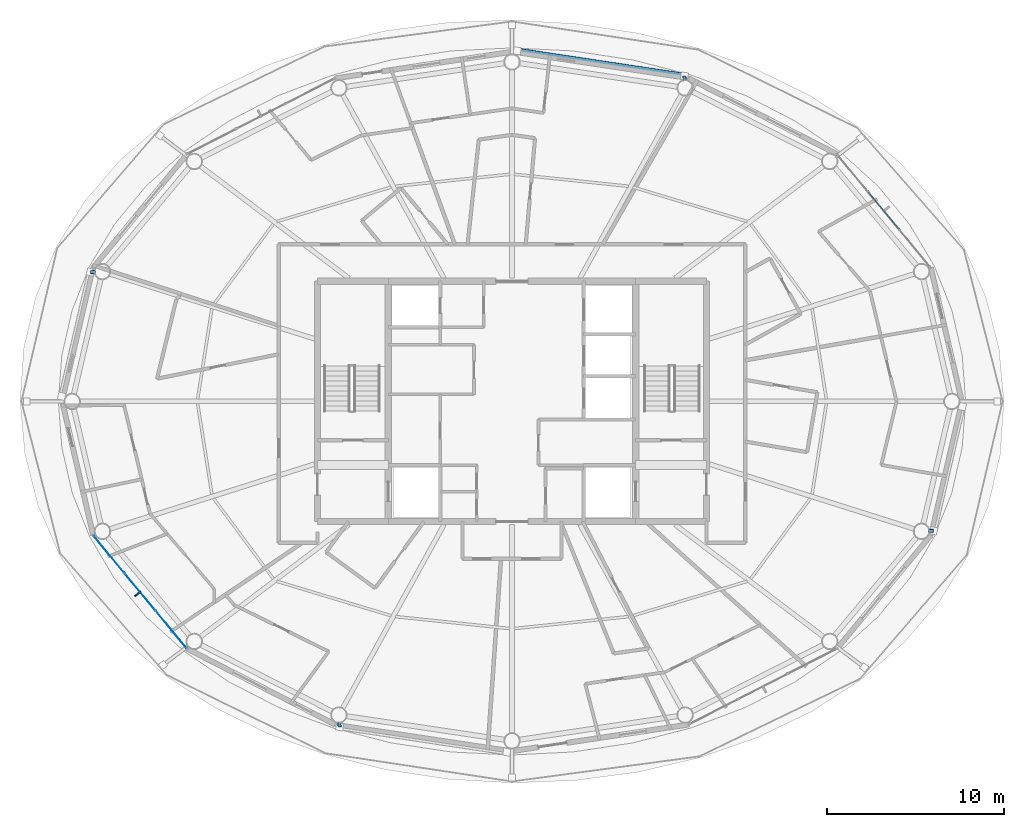
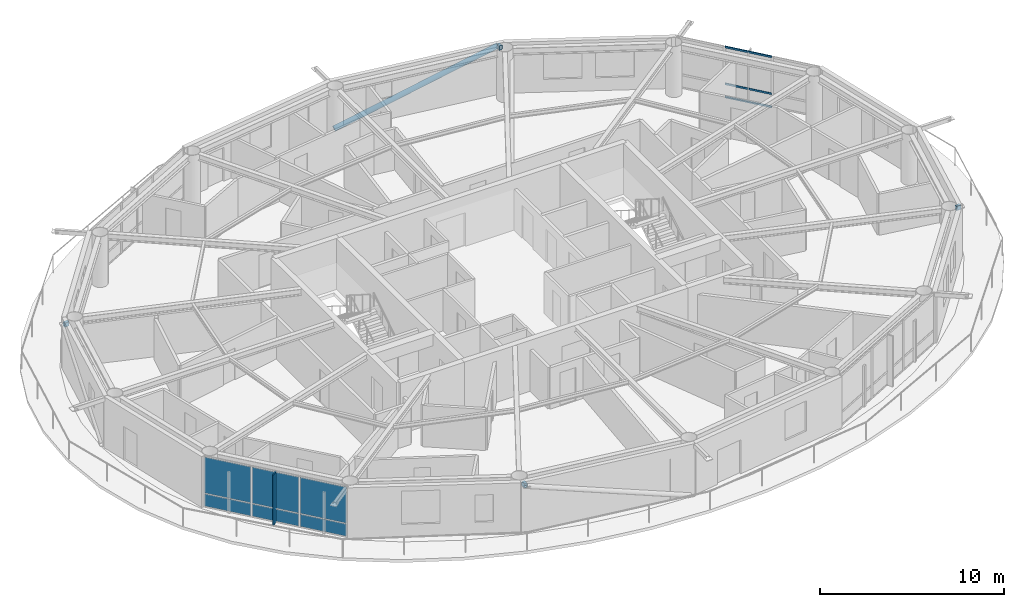
# One storey, part 12 of 22: 8 members, 7 plates, 2 elements without a shape of their own.
"""IFC4 building model written with IfcOpenShell, lengths in metres."""

from ifc_helpers import new_model, si_unit, direction, frame, origin, origin_2d, place, context, subcontext, project, spatial, rectangle, hollow_rectangle, hollow_circle, extrude, material, layer, layer_set, material_profile, profile_set, type_object, element, aggregate, save


model = new_model("IFC4")

# Units and contexts
model_context = context("Model", 3, precision=1e-05, world=origin(), true_north=direction((0.0, 1.0)))
body_context = subcontext(model_context, "Body", "Model", "MODEL_VIEW")
ifc_project = project(units=[si_unit("LENGTHUNIT", "METRE"), si_unit("AREAUNIT", "SQUARE_METRE"), si_unit("VOLUMEUNIT", "CUBIC_METRE"), si_unit("PLANEANGLEUNIT", "RADIAN"), si_unit("MASSUNIT", "GRAM", prefix="KILO")], contexts=[model_context])

# Site, building, storey
site_placement = place(None, origin())
site = spatial("IfcSite", under=ifc_project, at=site_placement, CompositionType="ELEMENT")
building_placement = place(site_placement, origin())
building = spatial("IfcBuilding", under=site, at=building_placement, Name="Sarneth Arch Tower", CompositionType="ELEMENT")
storey_placement = place(building_placement, frame((0.0, 0.0, 298.199951171875)))
storey = spatial("IfcBuildingStorey", under=building, at=storey_placement, Name="L77", CompositionType="ELEMENT", Elevation=298.199951171875)

# Curtain wall, members
ifc_material_1 = material(Name="Anodised aluminium Type AA25 and solar-control low-e laminated IGU", Category="aluminium")
ifc_layer_1 = layer(ifc_material_1, 0.179931640625)
ifc_layer_set_1 = layer_set([ifc_layer_1], Name="Anodised aluminium Type AA25 and solar-control low-e laminated IGU")
curtain_wall_type = type_object("IfcCurtainWallType", Name="CW-RES-HIGH", PredefinedType="NOTDEFINED", material=ifc_layer_set_1)
curtain_wall_1_placement = place(storey_placement, origin())
curtain_wall_1 = element("IfcCurtainWall", 1, at=curtain_wall_1_placement, inside=storey, type_object=curtain_wall_type, Name="L77 Unitised curtain wall facet 02", PredefinedType="NOTDEFINED")
ifc_material_2 = material(Name="Anodised Aluminium 6063-T6", Category="aluminium")
ifc_material_profile_1 = material_profile(ifc_material_2, hollow_rectangle(XDim=0.06005859375, YDim=0.1201171875, WallThickness=0.00390625, at=origin_2d()), Name="AL-TRAN-120x60x4")
ifc_profile_set_1 = profile_set([ifc_material_profile_1], Name="Anodised Aluminium 6063-T6")
member_type_1 = type_object("IfcMemberType", Name="CW-TRANSOM", PredefinedType="USERDEFINED", material=ifc_profile_set_1)
member_1_placement = place(storey_placement, frame((69.904296875, 51.731689453125, 0.030029296875), z_axis=(-0.637617371902, 0.770353222261, 0.0), x_axis=(-0.770353222261, -0.637617371902, 0.0)))
member_1 = element("IfcMember", 2, at=member_1_placement, type_object=member_type_1, Name="CW-SYS-6 transom 2.1", ObjectType="TRANSOM", PredefinedType="USERDEFINED", context=body_context, shape_type="SweptSolid", body=[
    extrude(hollow_rectangle(XDim=0.06005859375, YDim=0.1201171875, WallThickness=0.00390625, at=origin_2d()), origin(), (0.0, 0.0, 1.0), 2.716552734375),
])
member_2_placement = place(storey_placement, frame((69.904296875, 51.731689453125, 0.900146484375), z_axis=(-0.637617371902, 0.770353222261, 0.0), x_axis=(-0.770353222261, -0.637617371902, 0.0)))
member_2 = element("IfcMember", 3, at=member_2_placement, type_object=member_type_1, Name="CW-SYS-6 transom 2.2", ObjectType="TRANSOM", PredefinedType="USERDEFINED", context=body_context, shape_type="SweptSolid", body=[
    extrude(hollow_rectangle(XDim=0.06005859375, YDim=0.1201171875, WallThickness=0.00390625, at=origin_2d()), origin(), (0.0, 0.0, 1.0), 2.716552734375),
])
member_3_placement = place(storey_placement, frame((69.904296875, 51.731689453125, 3.340087890625), z_axis=(-0.637617371902, 0.770353222261, 0.0), x_axis=(-0.770353222261, -0.637617371902, 0.0)))
member_3 = element("IfcMember", 4, at=member_3_placement, type_object=member_type_1, Name="CW-SYS-6 transom 2.3", ObjectType="TRANSOM", PredefinedType="USERDEFINED", context=body_context, shape_type="SweptSolid", body=[
    extrude(hollow_rectangle(XDim=0.06005859375, YDim=0.1201171875, WallThickness=0.00390625, at=origin_2d()), origin(), (0.0, 0.0, 1.0), 2.716552734375),
])
aggregate(curtain_wall_1, [member_1, member_2, member_3])

# Members
ifc_material_3 = material(Name="Steel S355", Category="steel")
ifc_material_profile_2 = material_profile(ifc_material_3, hollow_rectangle(XDim=0.199951171875, YDim=0.300048828125, WallThickness=0.012451171875, InnerFilletRadius=0.018798828125, OuterFilletRadius=0.03125, at=origin_2d()), Name="RHS300x200x12.5")
ifc_profile_set_2 = profile_set([ifc_material_profile_2], Name="Steel S355")
member_type_2 = type_object("IfcMemberType", Name="MEM-CANT-STRUT", PredefinedType="STRUT", material=ifc_profile_set_2)
member_4_placement = place(storey_placement, frame((57.768798828125, 60.142822265625, 3.09228515625), z_axis=(-0.05446449316, 0.998515707931, 0.0), x_axis=(-0.998515707931, -0.05446449316, 0.0)))
element("IfcMember", 5, at=member_4_placement, inside=storey, type_object=member_type_2, Name="L77 Exoskeleton brace node strut 04B", PredefinedType="STRUT", context=body_context, shape_type="SweptSolid", body=[
    extrude(hollow_rectangle(XDim=0.199951171875, YDim=0.300048828125, WallThickness=0.012451171875, InnerFilletRadius=0.018798828125, OuterFilletRadius=0.03125, at=origin_2d()), origin(), (0.0, 0.0, 1.0), 0.26904296875),
])
member_5_placement = place(storey_placement, frame((24.426513671875, 49.32861328125, 3.09228515625), z_axis=(-0.998880000755, -0.047315368457, 0.0), x_axis=(0.047315368457, -0.998880000755, 0.0)))
element("IfcMember", 6, at=member_5_placement, inside=storey, type_object=member_type_2, Name="L77 Exoskeleton brace node strut 08B", PredefinedType="STRUT", context=body_context, shape_type="SweptSolid", body=[
    extrude(hollow_rectangle(XDim=0.199951171875, YDim=0.300048828125, WallThickness=0.012451171875, InnerFilletRadius=0.018798828125, OuterFilletRadius=0.03125, at=origin_2d()), origin(), (0.0, 0.0, 1.0), 0.278564453125),
])
member_6_placement = place(storey_placement, frame((38.231201171875, 23.857177734375, 3.09228515625), z_axis=(0.05446449316, -0.998515707931, 0.0), x_axis=(0.998515707931, 0.05446449316, 0.0)))
element("IfcMember", 7, at=member_6_placement, inside=storey, type_object=member_type_2, Name="L77 Exoskeleton brace node strut 12B", PredefinedType="STRUT", context=body_context, shape_type="SweptSolid", body=[
    extrude(hollow_rectangle(XDim=0.199951171875, YDim=0.300048828125, WallThickness=0.012451171875, InnerFilletRadius=0.018798828125, OuterFilletRadius=0.03125, at=origin_2d()), origin(), (0.0, 0.0, 1.0), 0.26904296875),
])
member_7_placement = place(storey_placement, frame((71.573486328125, 34.67138671875, 3.09228515625), z_axis=(0.998880000755, 0.047315368457, 0.0), x_axis=(-0.047315368457, 0.998880000755, 0.0)))
element("IfcMember", 8, at=member_7_placement, inside=storey, type_object=member_type_2, Name="L77 Exoskeleton brace node strut 16B", PredefinedType="STRUT", context=body_context, shape_type="SweptSolid", body=[
    extrude(hollow_rectangle(XDim=0.199951171875, YDim=0.300048828125, WallThickness=0.012451171875, InnerFilletRadius=0.018798828125, OuterFilletRadius=0.03125, at=origin_2d()), origin(), (0.0, 0.0, 1.0), 0.278564453125),
])
ifc_material_4 = material(Name="Steel S355", Category="steel")
ifc_material_profile_3 = material_profile(ifc_material_4, hollow_circle(Radius=0.162109375, WallThickness=0.012451171875, at=origin_2d()), Name="CHS324x12.5")
ifc_profile_set_3 = profile_set([ifc_material_profile_3], Name="Steel S355")
member_type_3 = type_object("IfcMemberType", Name="MEM-DIAG-BR3", PredefinedType="BRACE", material=ifc_profile_set_3)
member_8_placement = place(storey_placement, frame((48.296630859375, 61.83544921875, 0.02001953125), z_axis=(0.941471055877, -0.141762627625, 0.305835917372), x_axis=(0.148897148305, 0.988852688335, 0.0)))
element("IfcMember", 9, at=member_8_placement, inside=storey, type_object=member_type_3, Name="L77 Perimeter frame diagonal 04", PredefinedType="BRACE", context=body_context, shape_type="SweptSolid", body=[
    extrude(hollow_circle(Radius=0.162109375, WallThickness=0.012451171875, at=origin_2d()), origin(), (0.0, 0.0, 1.0), 10.04541015625),
])

# Curtain wall, plates
curtain_wall_2_placement = place(storey_placement, origin())
curtain_wall_2 = element("IfcCurtainWall", 10, at=curtain_wall_2_placement, inside=storey, type_object=curtain_wall_type, Name="L77 Unitised curtain wall facet 10", PredefinedType="NOTDEFINED")
ifc_material_5 = material(Name="Solar-control low-e laminated IGU", Category="glass")
ifc_layer_2 = layer(ifc_material_5, 0.028076171875)
ifc_layer_set_2 = layer_set([ifc_layer_2], Name="Solar-control low-e laminated IGU")
plate_type_1 = type_object("IfcPlateType", Name="CW-PANEL", PredefinedType="CURTAIN_PANEL", material=ifc_layer_set_2)
plate_1_placement = place(storey_placement, frame((25.200927734375, 33.349365234375, 0.06005859375), z_axis=(0.0, 0.0, 1.0), x_axis=(0.637610094184, -0.770359245933, 0.0)))
plate_1 = element("IfcPlate", 11, at=plate_1_placement, type_object=plate_type_1, Name="Curtain wall glazed vision pane CW-L77-F10/P00-00", PredefinedType="CURTAIN_PANEL", context=body_context, shape_type="SweptSolid", body=[
    extrude(rectangle(XDim=2.686767578125, YDim=0.028076171875, at=origin_2d()), origin(), (0.0, 0.0, 1.0), 0.81005859375),
])
plate_2_placement = place(storey_placement, frame((25.200927734375, 33.349365234375, 0.93017578125), z_axis=(0.0, 0.0, 1.0), x_axis=(0.637610094184, -0.770359245933, 0.0)))
plate_2 = element("IfcPlate", 12, at=plate_2_placement, type_object=plate_type_1, Name="Curtain wall glazed vision pane CW-L77-F10/P00-01", PredefinedType="CURTAIN_PANEL", context=body_context, shape_type="SweptSolid", body=[
    extrude(rectangle(XDim=2.686767578125, YDim=0.028076171875, at=origin_2d()), origin(), (0.0, 0.0, 1.0), 2.3798828125),
])
plate_3_placement = place(storey_placement, frame((26.9619140625, 31.221923828125, 0.06005859375), z_axis=(0.0, 0.0, 1.0), x_axis=(0.637610094184, -0.770359245933, 0.0)))
plate_3 = element("IfcPlate", 13, at=plate_3_placement, type_object=plate_type_1, Name="Curtain wall glazed vision pane CW-L77-F10/P01-00", PredefinedType="CURTAIN_PANEL", context=body_context, shape_type="SweptSolid", body=[
    extrude(rectangle(XDim=2.716552734375, YDim=0.028076171875, at=origin_2d()), origin(), (0.0, 0.0, 1.0), 0.81005859375),
])
plate_4_placement = place(storey_placement, frame((26.9619140625, 31.221923828125, 0.93017578125), z_axis=(0.0, 0.0, 1.0), x_axis=(0.637610094184, -0.770359245933, 0.0)))
plate_4 = element("IfcPlate", 14, at=plate_4_placement, type_object=plate_type_1, Name="Curtain wall glazed vision pane CW-L77-F10/P01-01", PredefinedType="CURTAIN_PANEL", context=body_context, shape_type="SweptSolid", body=[
    extrude(rectangle(XDim=2.716552734375, YDim=0.028076171875, at=origin_2d()), origin(), (0.0, 0.0, 1.0), 2.3798828125),
])
plate_5_placement = place(storey_placement, frame((28.72265625, 29.094482421875, 0.06005859375), z_axis=(0.0, 0.0, 1.0), x_axis=(0.637610094184, -0.770359245933, 0.0)))
plate_5 = element("IfcPlate", 15, at=plate_5_placement, type_object=plate_type_1, Name="Curtain wall glazed vision pane CW-L77-F10/P02-00", PredefinedType="CURTAIN_PANEL", context=body_context, shape_type="SweptSolid", body=[
    extrude(rectangle(XDim=2.686767578125, YDim=0.028076171875, at=origin_2d()), origin(), (0.0, 0.0, 1.0), 0.81005859375),
])
plate_6_placement = place(storey_placement, frame((28.72265625, 29.094482421875, 0.93017578125), z_axis=(0.0, 0.0, 1.0), x_axis=(0.637610094184, -0.770359245933, 0.0)))
plate_6 = element("IfcPlate", 16, at=plate_6_placement, type_object=plate_type_1, Name="Curtain wall glazed vision pane CW-L77-F10/P02-01", PredefinedType="CURTAIN_PANEL", context=body_context, shape_type="SweptSolid", body=[
    extrude(rectangle(XDim=2.686767578125, YDim=0.028076171875, at=origin_2d()), origin(), (0.0, 0.0, 1.0), 2.3798828125),
])
aggregate(curtain_wall_2, [plate_1, plate_2, plate_3, plate_4, plate_5, plate_6])

# Plate
ifc_material_6 = material(Name="Extruded glazed terracotta baguette fin on Aluminium 6063-T6 carrier", Category="masonry")
ifc_layer_3 = layer(ifc_material_6, 0.080078125)
ifc_layer_set_3 = layer_set([ifc_layer_3], Name="Extruded glazed terracotta baguette fin on Aluminium 6063-T6 carrier")
plate_type_2 = type_object("IfcPlateType", Name="SHADE-TERRA-FIN", PredefinedType="SHEET", material=ifc_layer_set_3)
plate_7_placement = place(storey_placement, frame((26.830810546875, 31.113525390625, 0.010009765625), z_axis=(0.0, 0.0, 1.0), x_axis=(-0.770401979567, -0.63755845997, 0.0)))
element("IfcPlate", 17, at=plate_7_placement, inside=storey, type_object=plate_type_2, Name="L77 Terracotta vertical shading fin 10", PredefinedType="SHEET", context=body_context, shape_type="SweptSolid", body=[
    extrude(rectangle(XDim=0.419921875, YDim=0.080078125, at=origin_2d()), origin(), (0.0, 0.0, 1.0), 3.35009765625),
])

save(model, "model.ifc")
